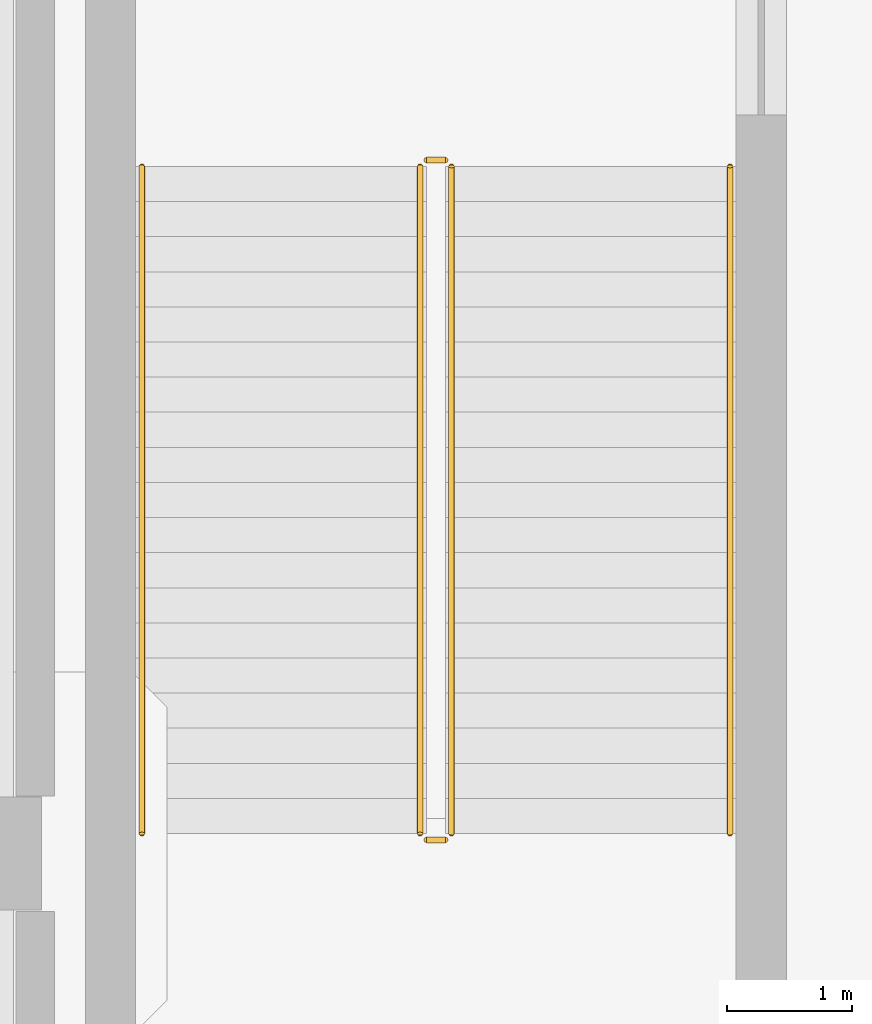
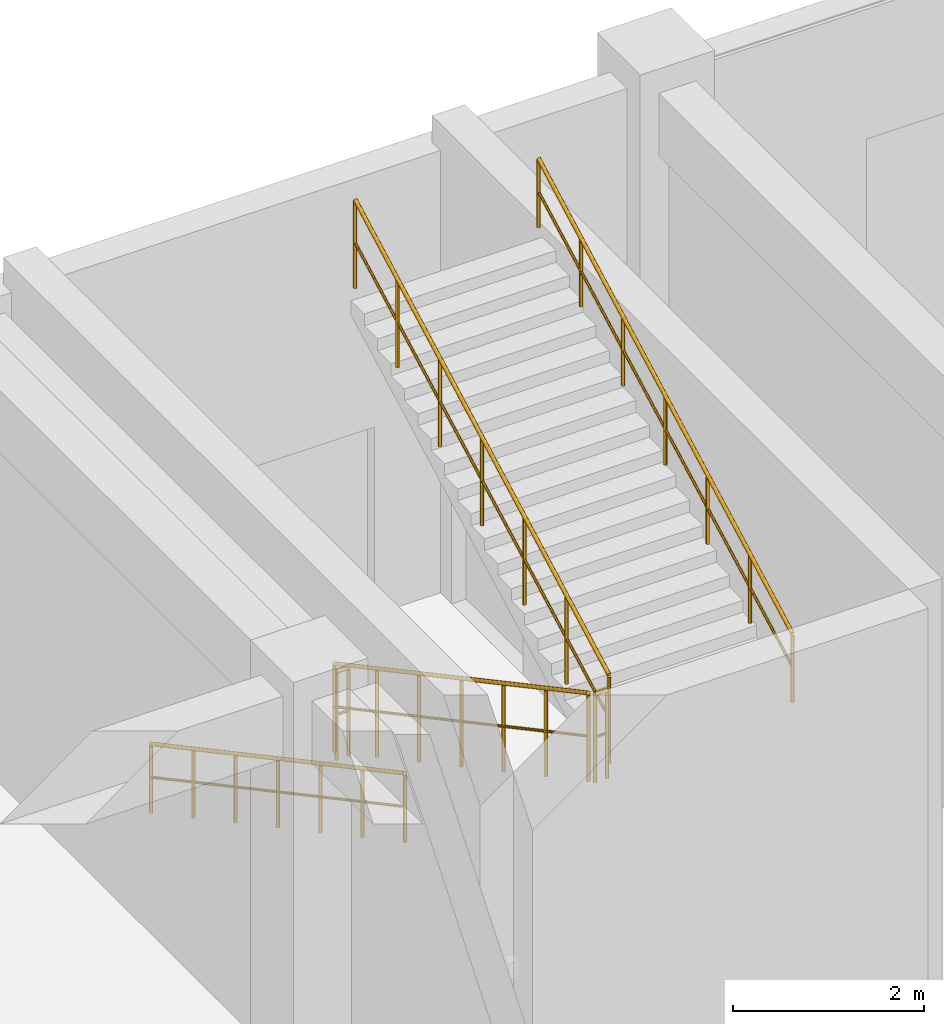
# One storey, part 79 of 82: 6 railings.
"""IFC4 building model written with IfcOpenShell, lengths in metres."""

from ifc_helpers import new_model, si_unit, derived_unit, direction, frame, origin, origin_2d, place, context, subcontext, project, spatial, circle, extrude, material, type_object, element, save


model = new_model("IFC4")

# Units and contexts
model_context = context("Model", 3, precision=1e-05, world=origin(), true_north=direction((0.0, 1.0)))
body_context = subcontext(model_context, "Body", "Model", "MODEL_VIEW")
ifc_project = project(units=[si_unit("LENGTHUNIT", "METRE"), si_unit("AREAUNIT", "SQUARE_METRE"), si_unit("VOLUMEUNIT", "CUBIC_METRE"), si_unit("PLANEANGLEUNIT", "RADIAN"), si_unit("MASSUNIT", "GRAM", prefix="KILO"), derived_unit("THERMALTRANSMITTANCEUNIT", [(si_unit("MASSUNIT", "GRAM", prefix="KILO"), 1), (si_unit("TIMEUNIT", "SECOND"), -3), (si_unit("THERMODYNAMICTEMPERATUREUNIT", "KELVIN"), -1)])], contexts=[model_context])

# Site, building, storey
site_placement = place(None, origin())
site = spatial("IfcSite", under=ifc_project, at=site_placement, CompositionType="ELEMENT")
building_placement = place(site_placement, origin())
building = spatial("IfcBuilding", under=site, at=building_placement, Name="Qinzheling Arcade Emporium", CompositionType="ELEMENT")
storey_placement = place(building_placement, origin())
storey = spatial("IfcBuildingStorey", under=building, at=storey_placement, Name="L01", CompositionType="ELEMENT", Elevation=0.0)

# Railings
ifc_material_1 = material(Name="Galvanised powder-coated tubular steel", Category="steel")
railing_type_1 = type_object("IfcRailingType", Name="Painted Steel Stairwell Guard Railing 1150", PredefinedType="GUARDRAIL", material=ifc_material_1)
railing_1_placement = place(storey_placement, frame((73.070068359375, 112.280029296875, 0.14990234375)))
element("IfcRailing", 1, at=railing_1_placement, inside=storey, type_object=railing_type_1, Name="L01 ST07 stair guard 1", PredefinedType="GUARDRAIL", context=body_context, shape_type="SweptSolid", body=[
    extrude(circle(Radius=0.02392578125, at=origin_2d()), frame((0.0, 0.0, 1.1259765625), z_axis=(0.0, -0.881475760486, 0.472229270245), x_axis=(1.0, 0.0, 0.0)), (0.0, 0.0, 1.0), 6.035400390625),
    extrude(circle(Radius=0.01611328125, at=origin_2d()), frame((0.0, 0.0, 0.574951171875), z_axis=(0.0, -0.881475760486, 0.472229270245), x_axis=(1.0, 0.0, 0.0)), (0.0, 0.0, 1.0), 6.035400390625),
    extrude(circle(Radius=0.02099609375, at=origin_2d()), origin(), (0.0, 0.0, 1.0), 1.101806640625),
    extrude(circle(Radius=0.02099609375, at=origin_2d()), frame((0.0, -0.88671875, 0.47509765625)), (0.0, 0.0, 1.0), 1.101806640625),
    extrude(circle(Radius=0.02099609375, at=origin_2d()), frame((0.0, -1.7734375, 0.949951171875)), (0.0, 0.0, 1.0), 1.101806640625),
    extrude(circle(Radius=0.02099609375, at=origin_2d()), frame((0.0, -2.66015625, 1.425048828125)), (0.0, 0.0, 1.0), 1.101806640625),
    extrude(circle(Radius=0.02099609375, at=origin_2d()), frame((0.0, -3.546630859375, 1.900146484375)), (0.0, 0.0, 1.0), 1.101806640625),
    extrude(circle(Radius=0.02099609375, at=origin_2d()), frame((0.0, -4.433349609375, 2.375)), (0.0, 0.0, 1.0), 1.101806640625),
    extrude(circle(Radius=0.02099609375, at=origin_2d()), frame((0.0, -5.320068359375, 2.85009765625)), (0.0, 0.0, 1.0), 1.101806640625),
])
railing_2_placement = place(storey_placement, frame((73.1201171875, 106.909912109375, 3.0)))
element("IfcRailing", 2, at=railing_2_placement, inside=storey, type_object=railing_type_1, Name="L01 ST07 stair guard 2", PredefinedType="GUARDRAIL", context=body_context, shape_type="SweptSolid", body=[
    extrude(circle(Radius=0.02392578125, at=origin_2d()), frame((0.0, 0.0, 1.1259765625), z_axis=(1.0, 0.0, 0.0), x_axis=(0.0, 1.0, 0.0)), (0.0, 0.0, 1.0), 0.14990234375),
    extrude(circle(Radius=0.01611328125, at=origin_2d()), frame((0.0, 0.0, 0.574951171875), z_axis=(1.0, 0.0, 0.0), x_axis=(0.0, 1.0, 0.0)), (0.0, 0.0, 1.0), 0.14990234375),
    extrude(circle(Radius=0.02099609375, at=origin_2d()), origin(), (0.0, 0.0, 1.0), 1.101806640625),
    extrude(circle(Radius=0.02099609375, at=origin_2d()), frame((0.14990234375, 0.0, 0.0)), (0.0, 0.0, 1.0), 1.101806640625),
])
railing_3_placement = place(storey_placement, frame((73.320068359375, 106.9599609375, 3.14990234375)))
element("IfcRailing", 3, at=railing_3_placement, inside=storey, type_object=railing_type_1, Name="L01 ST07 stair guard 3", PredefinedType="GUARDRAIL", context=body_context, shape_type="SweptSolid", body=[
    extrude(circle(Radius=0.02392578125, at=origin_2d()), frame((0.0, 0.0, 1.1259765625), z_axis=(0.0, 0.881475760486, 0.472229270245), x_axis=(-1.0, 0.0, 0.0)), (0.0, 0.0, 1.0), 6.035400390625),
    extrude(circle(Radius=0.01611328125, at=origin_2d()), frame((0.0, 0.0, 0.574951171875), z_axis=(0.0, 0.881475760486, 0.472229270245), x_axis=(-1.0, 0.0, 0.0)), (0.0, 0.0, 1.0), 6.035400390625),
    extrude(circle(Radius=0.02099609375, at=origin_2d()), origin(), (0.0, 0.0, 1.0), 1.101806640625),
    extrude(circle(Radius=0.02099609375, at=origin_2d()), frame((0.0, 0.88671875, 0.47509765625)), (0.0, 0.0, 1.0), 1.101806640625),
    extrude(circle(Radius=0.02099609375, at=origin_2d()), frame((0.0, 1.7734375, 0.949951171875)), (0.0, 0.0, 1.0), 1.101806640625),
    extrude(circle(Radius=0.02099609375, at=origin_2d()), frame((0.0, 2.66015625, 1.425048828125)), (0.0, 0.0, 1.0), 1.101806640625),
    extrude(circle(Radius=0.02099609375, at=origin_2d()), frame((0.0, 3.546630859375, 1.900146484375)), (0.0, 0.0, 1.0), 1.101806640625),
    extrude(circle(Radius=0.02099609375, at=origin_2d()), frame((0.0, 4.433349609375, 2.375)), (0.0, 0.0, 1.0), 1.101806640625),
    extrude(circle(Radius=0.02099609375, at=origin_2d()), frame((0.0, 5.320068359375, 2.85009765625)), (0.0, 0.0, 1.0), 1.101806640625),
])
railing_4_placement = place(storey_placement, frame((73.1201171875, 112.330078125, 0.0)))
element("IfcRailing", 4, at=railing_4_placement, inside=storey, type_object=railing_type_1, Name="L01 ST07 stair guard 4", PredefinedType="GUARDRAIL", context=body_context, shape_type="SweptSolid", body=[
    extrude(circle(Radius=0.02392578125, at=origin_2d()), frame((0.0, 0.0, 1.1259765625), z_axis=(1.0, 0.0, 0.0), x_axis=(0.0, 1.0, 0.0)), (0.0, 0.0, 1.0), 0.14990234375),
    extrude(circle(Radius=0.01611328125, at=origin_2d()), frame((0.0, 0.0, 0.574951171875), z_axis=(1.0, 0.0, 0.0), x_axis=(0.0, 1.0, 0.0)), (0.0, 0.0, 1.0), 0.14990234375),
    extrude(circle(Radius=0.02099609375, at=origin_2d()), origin(), (0.0, 0.0, 1.0), 1.101806640625),
    extrude(circle(Radius=0.02099609375, at=origin_2d()), frame((0.14990234375, 0.0, 0.0)), (0.0, 0.0, 1.0), 1.101806640625),
])
ifc_material_2 = material(Name="Brushed stainless steel 304", Category="steel")
railing_type_2 = type_object("IfcRailingType", Name="Stainless Steel Wall Handrail 900", PredefinedType="HANDRAIL", material=ifc_material_2)
railing_5_placement = place(storey_placement, frame((70.85009765625, 112.280029296875, 0.14990234375)))
element("IfcRailing", 5, at=railing_5_placement, inside=storey, type_object=railing_type_2, Name="L01 ST07 stair handrail 1", PredefinedType="HANDRAIL", context=body_context, shape_type="SweptSolid", body=[
    extrude(circle(Radius=0.02392578125, at=origin_2d()), frame((0.0, 0.0, 0.8759765625), z_axis=(0.0, -0.881475760486, 0.472229270245), x_axis=(1.0, 0.0, 0.0)), (0.0, 0.0, 1.0), 6.035400390625),
    extrude(circle(Radius=0.01611328125, at=origin_2d()), frame((0.0, 0.0, 0.449951171875), z_axis=(0.0, -0.881475760486, 0.472229270245), x_axis=(1.0, 0.0, 0.0)), (0.0, 0.0, 1.0), 6.035400390625),
    extrude(circle(Radius=0.02099609375, at=origin_2d()), origin(), (0.0, 0.0, 1.0), 0.851806640625),
    extrude(circle(Radius=0.02099609375, at=origin_2d()), frame((0.0, -0.88671875, 0.47509765625)), (0.0, 0.0, 1.0), 0.851806640625),
    extrude(circle(Radius=0.02099609375, at=origin_2d()), frame((0.0, -1.7734375, 0.949951171875)), (0.0, 0.0, 1.0), 0.851806640625),
    extrude(circle(Radius=0.02099609375, at=origin_2d()), frame((0.0, -2.66015625, 1.425048828125)), (0.0, 0.0, 1.0), 0.851806640625),
    extrude(circle(Radius=0.02099609375, at=origin_2d()), frame((0.0, -3.546630859375, 1.900146484375)), (0.0, 0.0, 1.0), 0.851806640625),
    extrude(circle(Radius=0.02099609375, at=origin_2d()), frame((0.0, -4.433349609375, 2.375)), (0.0, 0.0, 1.0), 0.851806640625),
    extrude(circle(Radius=0.02099609375, at=origin_2d()), frame((0.0, -5.320068359375, 2.85009765625)), (0.0, 0.0, 1.0), 0.851806640625),
])
railing_6_placement = place(storey_placement, frame((75.5400390625, 106.9599609375, 3.14990234375)))
element("IfcRailing", 6, at=railing_6_placement, inside=storey, type_object=railing_type_2, Name="L01 ST07 stair handrail 2", PredefinedType="HANDRAIL", context=body_context, shape_type="SweptSolid", body=[
    extrude(circle(Radius=0.02392578125, at=origin_2d()), frame((0.0, 0.0, 0.8759765625), z_axis=(0.0, 0.881475760486, 0.472229270245), x_axis=(-1.0, 0.0, 0.0)), (0.0, 0.0, 1.0), 6.035400390625),
    extrude(circle(Radius=0.01611328125, at=origin_2d()), frame((0.0, 0.0, 0.449951171875), z_axis=(0.0, 0.881475760486, 0.472229270245), x_axis=(-1.0, 0.0, 0.0)), (0.0, 0.0, 1.0), 6.035400390625),
    extrude(circle(Radius=0.02099609375, at=origin_2d()), origin(), (0.0, 0.0, 1.0), 0.851806640625),
    extrude(circle(Radius=0.02099609375, at=origin_2d()), frame((0.0, 0.88671875, 0.47509765625)), (0.0, 0.0, 1.0), 0.851806640625),
    extrude(circle(Radius=0.02099609375, at=origin_2d()), frame((0.0, 1.7734375, 0.949951171875)), (0.0, 0.0, 1.0), 0.851806640625),
    extrude(circle(Radius=0.02099609375, at=origin_2d()), frame((0.0, 2.66015625, 1.425048828125)), (0.0, 0.0, 1.0), 0.851806640625),
    extrude(circle(Radius=0.02099609375, at=origin_2d()), frame((0.0, 3.546630859375, 1.900146484375)), (0.0, 0.0, 1.0), 0.851806640625),
    extrude(circle(Radius=0.02099609375, at=origin_2d()), frame((0.0, 4.433349609375, 2.375)), (0.0, 0.0, 1.0), 0.851806640625),
    extrude(circle(Radius=0.02099609375, at=origin_2d()), frame((0.0, 5.320068359375, 2.85009765625)), (0.0, 0.0, 1.0), 0.851806640625),
])

save(model, "model.ifc")
